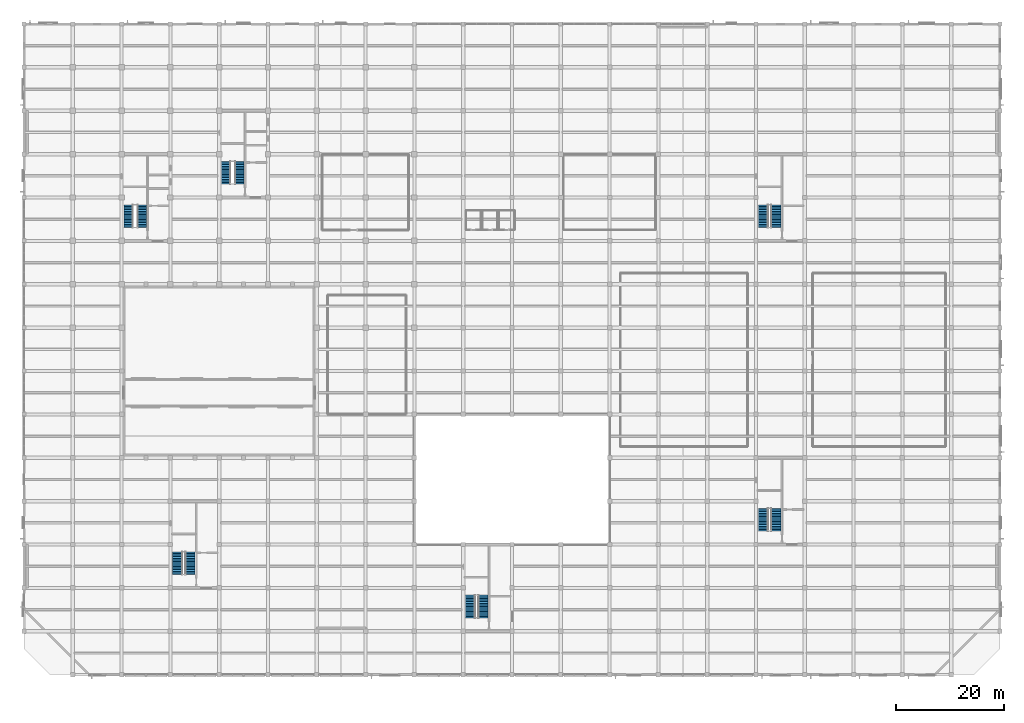
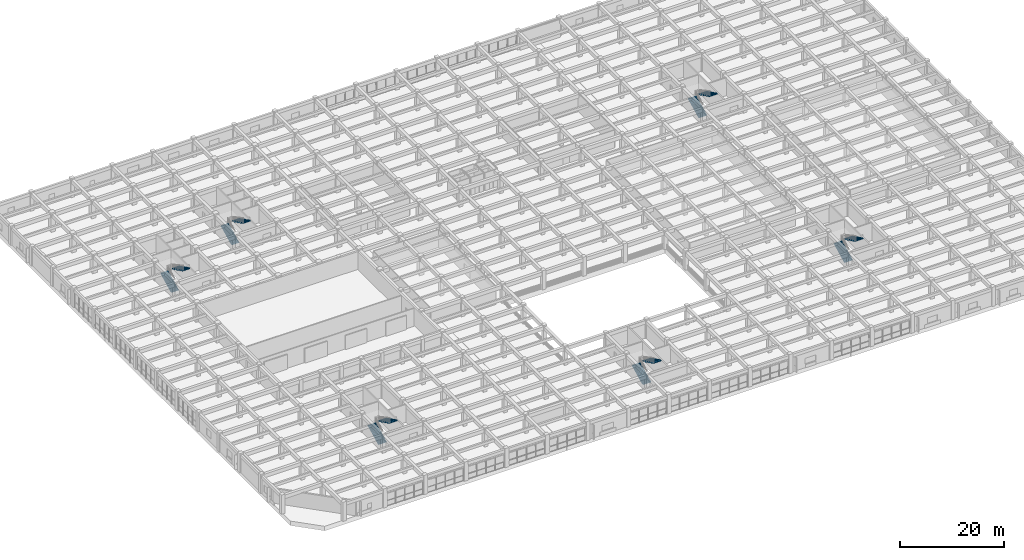
# One storey, part 35 of 50: 12 stair flights, 6 elements without a shape of their own.
"""IFC4 building model written with IfcOpenShell, lengths in metres."""

from ifc_helpers import new_model, si_unit, direction, frame, origin, place, context, subcontext, project, spatial, polyline, outline, extrude, material, type_object, element, aggregate, save


model = new_model("IFC4")

# Units and contexts
model_context = context("Model", 3, precision=1e-05, world=origin(), true_north=direction((0.0, 1.0)))
body_context = subcontext(model_context, "Body", "Model", "MODEL_VIEW")
ifc_project = project(units=[si_unit("LENGTHUNIT", "METRE"), si_unit("AREAUNIT", "SQUARE_METRE"), si_unit("VOLUMEUNIT", "CUBIC_METRE"), si_unit("PLANEANGLEUNIT", "RADIAN"), si_unit("MASSUNIT", "GRAM", prefix="KILO")], contexts=[model_context])

# Site, building, storey
site_placement = place(None, origin())
site = spatial("IfcSite", under=ifc_project, at=site_placement, CompositionType="ELEMENT")
building_placement = place(site_placement, origin())
building = spatial("IfcBuilding", under=site, at=building_placement, Name="Zaverband Oceanarium and Marine Research Institute", CompositionType="ELEMENT")
storey_placement = place(building_placement, frame((0.0, 0.0, 4.5)))
storey = spatial("IfcBuildingStorey", under=building, at=storey_placement, Name="L01", CompositionType="ELEMENT", Elevation=4.5)

# Stair, stair flights
ifc_material = material(Name="Concrete C40/50", Category="concrete")
stair_type_1 = type_object("IfcStairType", Name="STR-POD-1800-4500", PredefinedType="HALF_TURN_STAIR", material=ifc_material)
stair_1_placement = place(storey_placement, origin())
stair_1 = element("IfcStair", 1, at=stair_1_placement, inside=storey, type_object=stair_type_1, Name="Exit Stair ST-03 (L01)", PredefinedType="HALF_TURN_STAIR")
stair_flight_type_1 = type_object("IfcStairFlightType", Name="STR-POD-1800-4500-FL", PredefinedType="STRAIGHT", material=ifc_material)
stair_flight_1_placement = place(storey_placement, frame((28.330078125, 18.449951171875, 0.0), z_axis=(0.0, 0.0, 1.0), x_axis=(0.0, 1.0, 0.0)))
stair_flight_1 = element("IfcStairFlight", 2, at=stair_flight_1_placement, type_object=stair_flight_type_1, Name="Reinforced concrete stair flight ST-03-F1", NumberOfRisers=15, NumberOfTreads=14, PredefinedType="STRAIGHT", RiserHeight=0.15, TreadLength=0.3, context=body_context, shape_type="SweptSolid", body=[
    extrude(outline(polyline([(0.0, 0.0), (0.0, 0.14990234375), (0.300048828125, 0.14990234375), (0.300048828125, 0.300048828125), (0.60009765625, 0.300048828125), (0.60009765625, 0.449951171875), (0.89990234375, 0.449951171875), (0.89990234375, 0.60009765625), (1.199951171875, 0.60009765625), (1.199951171875, 0.75), (1.5, 0.75), (1.5, 0.89990234375), (1.800048828125, 0.89990234375), (1.800048828125, 1.050048828125), (2.10009765625, 1.050048828125), (2.10009765625, 1.199951171875), (2.39990234375, 1.199951171875), (2.39990234375, 1.35009765625), (2.699951171875, 1.35009765625), (2.699951171875, 1.5), (3.0, 1.5), (3.0, 1.64990234375), (3.300048828125, 1.64990234375), (3.300048828125, 1.800048828125), (3.60009765625, 1.800048828125), (3.60009765625, 1.949951171875), (3.89990234375, 1.949951171875), (3.89990234375, 2.10009765625), (4.199951171875, 2.10009765625), (4.199951171875, 2.25), (4.199951171875, 1.89892578125), (0.40234375, 0.0), (0.0, 0.0)])), frame((0.0, 0.89990234375, 0.0), z_axis=(0.0, -1.0, 0.0), x_axis=(1.0, 0.0, 0.0)), (0.0, 0.0, 1.0), 1.800048828125),
])
stair_flight_2_placement = place(storey_placement, frame((30.669921875, 22.64990234375, 2.25), z_axis=(0.0, 0.0, 1.0), x_axis=(0.0, -1.0, 0.0)))
stair_flight_2 = element("IfcStairFlight", 3, at=stair_flight_2_placement, type_object=stair_flight_type_1, Name="Reinforced concrete stair flight ST-03-F2", NumberOfRisers=15, NumberOfTreads=14, PredefinedType="STRAIGHT", RiserHeight=0.15, TreadLength=0.3, context=body_context, shape_type="SweptSolid", body=[
    extrude(outline(polyline([(0.0, 0.0), (0.0, 0.14990234375), (0.300048828125, 0.14990234375), (0.300048828125, 0.300048828125), (0.60009765625, 0.300048828125), (0.60009765625, 0.449951171875), (0.89990234375, 0.449951171875), (0.89990234375, 0.60009765625), (1.199951171875, 0.60009765625), (1.199951171875, 0.75), (1.5, 0.75), (1.5, 0.89990234375), (1.800048828125, 0.89990234375), (1.800048828125, 1.050048828125), (2.10009765625, 1.050048828125), (2.10009765625, 1.199951171875), (2.39990234375, 1.199951171875), (2.39990234375, 1.35009765625), (2.699951171875, 1.35009765625), (2.699951171875, 1.5), (3.0, 1.5), (3.0, 1.64990234375), (3.300048828125, 1.64990234375), (3.300048828125, 1.800048828125), (3.60009765625, 1.800048828125), (3.60009765625, 1.949951171875), (3.89990234375, 1.949951171875), (3.89990234375, 2.10009765625), (4.199951171875, 2.10009765625), (4.199951171875, 2.25), (4.199951171875, 1.89892578125), (0.40234375, 0.0), (0.0, 0.0)])), frame((0.0, 0.89990234375, 0.0), z_axis=(0.0, -1.0, 0.0), x_axis=(1.0, 0.0, 0.0)), (0.0, 0.0, 1.0), 1.800048828125),
])
aggregate(stair_1, [stair_flight_1, stair_flight_2])

stair_2_placement = place(storey_placement, origin())
stair_2 = element("IfcStair", 4, at=stair_2_placement, inside=storey, type_object=stair_type_1, Name="Exit Stair ST-04 (L01)", PredefinedType="HALF_TURN_STAIR")
stair_flight_3_placement = place(storey_placement, frame((136.330078125, 26.449951171875, 0.0), z_axis=(0.0, 0.0, 1.0), x_axis=(0.0, 1.0, 0.0)))
stair_flight_3 = element("IfcStairFlight", 5, at=stair_flight_3_placement, type_object=stair_flight_type_1, Name="Reinforced concrete stair flight ST-04-F1", NumberOfRisers=15, NumberOfTreads=14, PredefinedType="STRAIGHT", RiserHeight=0.15, TreadLength=0.3, context=body_context, shape_type="SweptSolid", body=[
    extrude(outline(polyline([(0.0, 0.0), (0.0, 0.14990234375), (0.300048828125, 0.14990234375), (0.300048828125, 0.300048828125), (0.60009765625, 0.300048828125), (0.60009765625, 0.449951171875), (0.89990234375, 0.449951171875), (0.89990234375, 0.60009765625), (1.199951171875, 0.60009765625), (1.199951171875, 0.75), (1.5, 0.75), (1.5, 0.89990234375), (1.800048828125, 0.89990234375), (1.800048828125, 1.050048828125), (2.10009765625, 1.050048828125), (2.10009765625, 1.199951171875), (2.39990234375, 1.199951171875), (2.39990234375, 1.35009765625), (2.699951171875, 1.35009765625), (2.699951171875, 1.5), (3.0, 1.5), (3.0, 1.64990234375), (3.300048828125, 1.64990234375), (3.300048828125, 1.800048828125), (3.60009765625, 1.800048828125), (3.60009765625, 1.949951171875), (3.89990234375, 1.949951171875), (3.89990234375, 2.10009765625), (4.199951171875, 2.10009765625), (4.199951171875, 2.25), (4.199951171875, 1.89892578125), (0.40234375, 0.0), (0.0, 0.0)])), frame((0.0, 0.89990234375, 0.0), z_axis=(0.0, -1.0, 0.0), x_axis=(1.0, 0.0, 0.0)), (0.0, 0.0, 1.0), 1.800048828125),
])
stair_flight_4_placement = place(storey_placement, frame((138.669921875, 30.64990234375, 2.25), z_axis=(0.0, 0.0, 1.0), x_axis=(0.0, -1.0, 0.0)))
stair_flight_4 = element("IfcStairFlight", 6, at=stair_flight_4_placement, type_object=stair_flight_type_1, Name="Reinforced concrete stair flight ST-04-F2", NumberOfRisers=15, NumberOfTreads=14, PredefinedType="STRAIGHT", RiserHeight=0.15, TreadLength=0.3, context=body_context, shape_type="SweptSolid", body=[
    extrude(outline(polyline([(0.0, 0.0), (0.0, 0.14990234375), (0.300048828125, 0.14990234375), (0.300048828125, 0.300048828125), (0.60009765625, 0.300048828125), (0.60009765625, 0.449951171875), (0.89990234375, 0.449951171875), (0.89990234375, 0.60009765625), (1.199951171875, 0.60009765625), (1.199951171875, 0.75), (1.5, 0.75), (1.5, 0.89990234375), (1.800048828125, 0.89990234375), (1.800048828125, 1.050048828125), (2.10009765625, 1.050048828125), (2.10009765625, 1.199951171875), (2.39990234375, 1.199951171875), (2.39990234375, 1.35009765625), (2.699951171875, 1.35009765625), (2.699951171875, 1.5), (3.0, 1.5), (3.0, 1.64990234375), (3.300048828125, 1.64990234375), (3.300048828125, 1.800048828125), (3.60009765625, 1.800048828125), (3.60009765625, 1.949951171875), (3.89990234375, 1.949951171875), (3.89990234375, 2.10009765625), (4.199951171875, 2.10009765625), (4.199951171875, 2.25), (4.199951171875, 1.89892578125), (0.40234375, 0.0), (0.0, 0.0)])), frame((0.0, 0.89990234375, 0.0), z_axis=(0.0, -1.0, 0.0), x_axis=(1.0, 0.0, 0.0)), (0.0, 0.0, 1.0), 1.800048828125),
])
aggregate(stair_2, [stair_flight_3, stair_flight_4])

stair_3_placement = place(storey_placement, origin())
stair_3 = element("IfcStair", 7, at=stair_3_placement, inside=storey, type_object=stair_type_1, Name="Exit Stair ST-05 (L01)", PredefinedType="HALF_TURN_STAIR")
stair_flight_5_placement = place(storey_placement, frame((136.330078125, 82.449951171875, 0.0), z_axis=(0.0, 0.0, 1.0), x_axis=(0.0, 1.0, 0.0)))
stair_flight_5 = element("IfcStairFlight", 8, at=stair_flight_5_placement, type_object=stair_flight_type_1, Name="Reinforced concrete stair flight ST-05-F1", NumberOfRisers=15, NumberOfTreads=14, PredefinedType="STRAIGHT", RiserHeight=0.15, TreadLength=0.3, context=body_context, shape_type="SweptSolid", body=[
    extrude(outline(polyline([(0.0, 0.0), (0.0, 0.14990234375), (0.300048828125, 0.14990234375), (0.300048828125, 0.300048828125), (0.60009765625, 0.300048828125), (0.60009765625, 0.449951171875), (0.89990234375, 0.449951171875), (0.89990234375, 0.60009765625), (1.199951171875, 0.60009765625), (1.199951171875, 0.75), (1.5, 0.75), (1.5, 0.89990234375), (1.800048828125, 0.89990234375), (1.800048828125, 1.050048828125), (2.10009765625, 1.050048828125), (2.10009765625, 1.199951171875), (2.39990234375, 1.199951171875), (2.39990234375, 1.35009765625), (2.699951171875, 1.35009765625), (2.699951171875, 1.5), (3.0, 1.5), (3.0, 1.64990234375), (3.300048828125, 1.64990234375), (3.300048828125, 1.800048828125), (3.60009765625, 1.800048828125), (3.60009765625, 1.949951171875), (3.89990234375, 1.949951171875), (3.89990234375, 2.10009765625), (4.199951171875, 2.10009765625), (4.199951171875, 2.25), (4.199951171875, 1.89892578125), (0.40234375, 0.0), (0.0, 0.0)])), frame((0.0, 0.89990234375, 0.0), z_axis=(0.0, -1.0, 0.0), x_axis=(1.0, 0.0, 0.0)), (0.0, 0.0, 1.0), 1.800048828125),
])
stair_flight_6_placement = place(storey_placement, frame((138.669921875, 86.64990234375, 2.25), z_axis=(0.0, 0.0, 1.0), x_axis=(0.0, -1.0, 0.0)))
stair_flight_6 = element("IfcStairFlight", 9, at=stair_flight_6_placement, type_object=stair_flight_type_1, Name="Reinforced concrete stair flight ST-05-F2", NumberOfRisers=15, NumberOfTreads=14, PredefinedType="STRAIGHT", RiserHeight=0.15, TreadLength=0.3, context=body_context, shape_type="SweptSolid", body=[
    extrude(outline(polyline([(0.0, 0.0), (0.0, 0.14990234375), (0.300048828125, 0.14990234375), (0.300048828125, 0.300048828125), (0.60009765625, 0.300048828125), (0.60009765625, 0.449951171875), (0.89990234375, 0.449951171875), (0.89990234375, 0.60009765625), (1.199951171875, 0.60009765625), (1.199951171875, 0.75), (1.5, 0.75), (1.5, 0.89990234375), (1.800048828125, 0.89990234375), (1.800048828125, 1.050048828125), (2.10009765625, 1.050048828125), (2.10009765625, 1.199951171875), (2.39990234375, 1.199951171875), (2.39990234375, 1.35009765625), (2.699951171875, 1.35009765625), (2.699951171875, 1.5), (3.0, 1.5), (3.0, 1.64990234375), (3.300048828125, 1.64990234375), (3.300048828125, 1.800048828125), (3.60009765625, 1.800048828125), (3.60009765625, 1.949951171875), (3.89990234375, 1.949951171875), (3.89990234375, 2.10009765625), (4.199951171875, 2.10009765625), (4.199951171875, 2.25), (4.199951171875, 1.89892578125), (0.40234375, 0.0), (0.0, 0.0)])), frame((0.0, 0.89990234375, 0.0), z_axis=(0.0, -1.0, 0.0), x_axis=(1.0, 0.0, 0.0)), (0.0, 0.0, 1.0), 1.800048828125),
])
aggregate(stair_3, [stair_flight_5, stair_flight_6])

stair_4_placement = place(storey_placement, origin())
stair_4 = element("IfcStair", 10, at=stair_4_placement, inside=storey, type_object=stair_type_1, Name="Exit Stair ST-06 (L01)", PredefinedType="HALF_TURN_STAIR")
stair_flight_7_placement = place(storey_placement, frame((82.330078125, 10.449951171875, 0.0), z_axis=(0.0, 0.0, 1.0), x_axis=(0.0, 1.0, 0.0)))
stair_flight_7 = element("IfcStairFlight", 11, at=stair_flight_7_placement, type_object=stair_flight_type_1, Name="Reinforced concrete stair flight ST-06-F1", NumberOfRisers=15, NumberOfTreads=14, PredefinedType="STRAIGHT", RiserHeight=0.15, TreadLength=0.3, context=body_context, shape_type="SweptSolid", body=[
    extrude(outline(polyline([(0.0, 0.0), (0.0, 0.14990234375), (0.300048828125, 0.14990234375), (0.300048828125, 0.300048828125), (0.60009765625, 0.300048828125), (0.60009765625, 0.449951171875), (0.89990234375, 0.449951171875), (0.89990234375, 0.60009765625), (1.199951171875, 0.60009765625), (1.199951171875, 0.75), (1.5, 0.75), (1.5, 0.89990234375), (1.800048828125, 0.89990234375), (1.800048828125, 1.050048828125), (2.10009765625, 1.050048828125), (2.10009765625, 1.199951171875), (2.39990234375, 1.199951171875), (2.39990234375, 1.35009765625), (2.699951171875, 1.35009765625), (2.699951171875, 1.5), (3.0, 1.5), (3.0, 1.64990234375), (3.300048828125, 1.64990234375), (3.300048828125, 1.800048828125), (3.60009765625, 1.800048828125), (3.60009765625, 1.949951171875), (3.89990234375, 1.949951171875), (3.89990234375, 2.10009765625), (4.199951171875, 2.10009765625), (4.199951171875, 2.25), (4.199951171875, 1.89892578125), (0.40234375, 0.0), (0.0, 0.0)])), frame((0.0, 0.89990234375, 0.0), z_axis=(0.0, -1.0, 0.0), x_axis=(1.0, 0.0, 0.0)), (0.0, 0.0, 1.0), 1.800048828125),
])
stair_flight_8_placement = place(storey_placement, frame((84.669921875, 14.64990234375, 2.25), z_axis=(0.0, 0.0, 1.0), x_axis=(0.0, -1.0, 0.0)))
stair_flight_8 = element("IfcStairFlight", 12, at=stair_flight_8_placement, type_object=stair_flight_type_1, Name="Reinforced concrete stair flight ST-06-F2", NumberOfRisers=15, NumberOfTreads=14, PredefinedType="STRAIGHT", RiserHeight=0.15, TreadLength=0.3, context=body_context, shape_type="SweptSolid", body=[
    extrude(outline(polyline([(0.0, 0.0), (0.0, 0.14990234375), (0.300048828125, 0.14990234375), (0.300048828125, 0.300048828125), (0.60009765625, 0.300048828125), (0.60009765625, 0.449951171875), (0.89990234375, 0.449951171875), (0.89990234375, 0.60009765625), (1.199951171875, 0.60009765625), (1.199951171875, 0.75), (1.5, 0.75), (1.5, 0.89990234375), (1.800048828125, 0.89990234375), (1.800048828125, 1.050048828125), (2.10009765625, 1.050048828125), (2.10009765625, 1.199951171875), (2.39990234375, 1.199951171875), (2.39990234375, 1.35009765625), (2.699951171875, 1.35009765625), (2.699951171875, 1.5), (3.0, 1.5), (3.0, 1.64990234375), (3.300048828125, 1.64990234375), (3.300048828125, 1.800048828125), (3.60009765625, 1.800048828125), (3.60009765625, 1.949951171875), (3.89990234375, 1.949951171875), (3.89990234375, 2.10009765625), (4.199951171875, 2.10009765625), (4.199951171875, 2.25), (4.199951171875, 1.89892578125), (0.40234375, 0.0), (0.0, 0.0)])), frame((0.0, 0.89990234375, 0.0), z_axis=(0.0, -1.0, 0.0), x_axis=(1.0, 0.0, 0.0)), (0.0, 0.0, 1.0), 1.800048828125),
])
aggregate(stair_4, [stair_flight_7, stair_flight_8])

stair_type_2 = type_object("IfcStairType", Name="STR-TWR-1650-4500", PredefinedType="HALF_TURN_STAIR", material=ifc_material)
stair_5_placement = place(storey_placement, origin())
stair_5 = element("IfcStair", 13, at=stair_5_placement, inside=storey, type_object=stair_type_2, Name="Exit Stair ST-01 (L01)", PredefinedType="HALF_TURN_STAIR")
stair_flight_type_2 = type_object("IfcStairFlightType", Name="STR-TWR-1650-4500-FL", PredefinedType="STRAIGHT", material=ifc_material)
stair_flight_9_placement = place(storey_placement, frame((19.2548828125, 82.449951171875, 0.0), z_axis=(0.0, 0.0, 1.0), x_axis=(0.0, 1.0, 0.0)))
stair_flight_9 = element("IfcStairFlight", 14, at=stair_flight_9_placement, type_object=stair_flight_type_2, Name="Reinforced concrete stair flight ST-01-F1", NumberOfRisers=15, NumberOfTreads=14, PredefinedType="STRAIGHT", RiserHeight=0.15, TreadLength=0.3, context=body_context, shape_type="SweptSolid", body=[
    extrude(outline(polyline([(0.0, 0.0), (0.0, 0.14990234375), (0.300048828125, 0.14990234375), (0.300048828125, 0.300048828125), (0.60009765625, 0.300048828125), (0.60009765625, 0.449951171875), (0.89990234375, 0.449951171875), (0.89990234375, 0.60009765625), (1.199951171875, 0.60009765625), (1.199951171875, 0.75), (1.5, 0.75), (1.5, 0.89990234375), (1.800048828125, 0.89990234375), (1.800048828125, 1.050048828125), (2.10009765625, 1.050048828125), (2.10009765625, 1.199951171875), (2.39990234375, 1.199951171875), (2.39990234375, 1.35009765625), (2.699951171875, 1.35009765625), (2.699951171875, 1.5), (3.0, 1.5), (3.0, 1.64990234375), (3.300048828125, 1.64990234375), (3.300048828125, 1.800048828125), (3.60009765625, 1.800048828125), (3.60009765625, 1.949951171875), (3.89990234375, 1.949951171875), (3.89990234375, 2.10009765625), (4.199951171875, 2.10009765625), (4.199951171875, 2.25), (4.199951171875, 1.89892578125), (0.40234375, 0.0), (0.0, 0.0)])), frame((0.0, 0.824951171875, 0.0), z_axis=(0.0, -1.0, 0.0), x_axis=(1.0, 0.0, 0.0)), (0.0, 0.0, 1.0), 1.64990234375),
])
stair_flight_10_placement = place(storey_placement, frame((21.7451171875, 86.64990234375, 2.25), z_axis=(0.0, 0.0, 1.0), x_axis=(0.0, -1.0, 0.0)))
stair_flight_10 = element("IfcStairFlight", 15, at=stair_flight_10_placement, type_object=stair_flight_type_2, Name="Reinforced concrete stair flight ST-01-F2", NumberOfRisers=15, NumberOfTreads=14, PredefinedType="STRAIGHT", RiserHeight=0.15, TreadLength=0.3, context=body_context, shape_type="SweptSolid", body=[
    extrude(outline(polyline([(0.0, 0.0), (0.0, 0.14990234375), (0.300048828125, 0.14990234375), (0.300048828125, 0.300048828125), (0.60009765625, 0.300048828125), (0.60009765625, 0.449951171875), (0.89990234375, 0.449951171875), (0.89990234375, 0.60009765625), (1.199951171875, 0.60009765625), (1.199951171875, 0.75), (1.5, 0.75), (1.5, 0.89990234375), (1.800048828125, 0.89990234375), (1.800048828125, 1.050048828125), (2.10009765625, 1.050048828125), (2.10009765625, 1.199951171875), (2.39990234375, 1.199951171875), (2.39990234375, 1.35009765625), (2.699951171875, 1.35009765625), (2.699951171875, 1.5), (3.0, 1.5), (3.0, 1.64990234375), (3.300048828125, 1.64990234375), (3.300048828125, 1.800048828125), (3.60009765625, 1.800048828125), (3.60009765625, 1.949951171875), (3.89990234375, 1.949951171875), (3.89990234375, 2.10009765625), (4.199951171875, 2.10009765625), (4.199951171875, 2.25), (4.199951171875, 1.89892578125), (0.40234375, 0.0), (0.0, 0.0)])), frame((0.0, 0.824951171875, 0.0), z_axis=(0.0, -1.0, 0.0), x_axis=(1.0, 0.0, 0.0)), (0.0, 0.0, 1.0), 1.64990234375),
])
aggregate(stair_5, [stair_flight_9, stair_flight_10])

stair_6_placement = place(storey_placement, origin())
stair_6 = element("IfcStair", 16, at=stair_6_placement, inside=storey, type_object=stair_type_2, Name="Exit Stair ST-02 (L01)", PredefinedType="HALF_TURN_STAIR")
stair_flight_11_placement = place(storey_placement, frame((37.2548828125, 90.449951171875, 0.0), z_axis=(0.0, 0.0, 1.0), x_axis=(0.0, 1.0, 0.0)))
stair_flight_11 = element("IfcStairFlight", 17, at=stair_flight_11_placement, type_object=stair_flight_type_2, Name="Reinforced concrete stair flight ST-02-F1", NumberOfRisers=15, NumberOfTreads=14, PredefinedType="STRAIGHT", RiserHeight=0.15, TreadLength=0.3, context=body_context, shape_type="SweptSolid", body=[
    extrude(outline(polyline([(0.0, 0.0), (0.0, 0.14990234375), (0.300048828125, 0.14990234375), (0.300048828125, 0.300048828125), (0.60009765625, 0.300048828125), (0.60009765625, 0.449951171875), (0.89990234375, 0.449951171875), (0.89990234375, 0.60009765625), (1.199951171875, 0.60009765625), (1.199951171875, 0.75), (1.5, 0.75), (1.5, 0.89990234375), (1.800048828125, 0.89990234375), (1.800048828125, 1.050048828125), (2.10009765625, 1.050048828125), (2.10009765625, 1.199951171875), (2.39990234375, 1.199951171875), (2.39990234375, 1.35009765625), (2.699951171875, 1.35009765625), (2.699951171875, 1.5), (3.0, 1.5), (3.0, 1.64990234375), (3.300048828125, 1.64990234375), (3.300048828125, 1.800048828125), (3.60009765625, 1.800048828125), (3.60009765625, 1.949951171875), (3.89990234375, 1.949951171875), (3.89990234375, 2.10009765625), (4.199951171875, 2.10009765625), (4.199951171875, 2.25), (4.199951171875, 1.89892578125), (0.40234375, 0.0), (0.0, 0.0)])), frame((0.0, 0.824951171875, 0.0), z_axis=(0.0, -1.0, 0.0), x_axis=(1.0, 0.0, 0.0)), (0.0, 0.0, 1.0), 1.64990234375),
])
stair_flight_12_placement = place(storey_placement, frame((39.7451171875, 94.64990234375, 2.25), z_axis=(0.0, 0.0, 1.0), x_axis=(0.0, -1.0, 0.0)))
stair_flight_12 = element("IfcStairFlight", 18, at=stair_flight_12_placement, type_object=stair_flight_type_2, Name="Reinforced concrete stair flight ST-02-F2", NumberOfRisers=15, NumberOfTreads=14, PredefinedType="STRAIGHT", RiserHeight=0.15, TreadLength=0.3, context=body_context, shape_type="SweptSolid", body=[
    extrude(outline(polyline([(0.0, 0.0), (0.0, 0.14990234375), (0.300048828125, 0.14990234375), (0.300048828125, 0.300048828125), (0.60009765625, 0.300048828125), (0.60009765625, 0.449951171875), (0.89990234375, 0.449951171875), (0.89990234375, 0.60009765625), (1.199951171875, 0.60009765625), (1.199951171875, 0.75), (1.5, 0.75), (1.5, 0.89990234375), (1.800048828125, 0.89990234375), (1.800048828125, 1.050048828125), (2.10009765625, 1.050048828125), (2.10009765625, 1.199951171875), (2.39990234375, 1.199951171875), (2.39990234375, 1.35009765625), (2.699951171875, 1.35009765625), (2.699951171875, 1.5), (3.0, 1.5), (3.0, 1.64990234375), (3.300048828125, 1.64990234375), (3.300048828125, 1.800048828125), (3.60009765625, 1.800048828125), (3.60009765625, 1.949951171875), (3.89990234375, 1.949951171875), (3.89990234375, 2.10009765625), (4.199951171875, 2.10009765625), (4.199951171875, 2.25), (4.199951171875, 1.89892578125), (0.40234375, 0.0), (0.0, 0.0)])), frame((0.0, 0.824951171875, 0.0), z_axis=(0.0, -1.0, 0.0), x_axis=(1.0, 0.0, 0.0)), (0.0, 0.0, 1.0), 1.64990234375),
])
aggregate(stair_6, [stair_flight_11, stair_flight_12])

save(model, "model.ifc")
